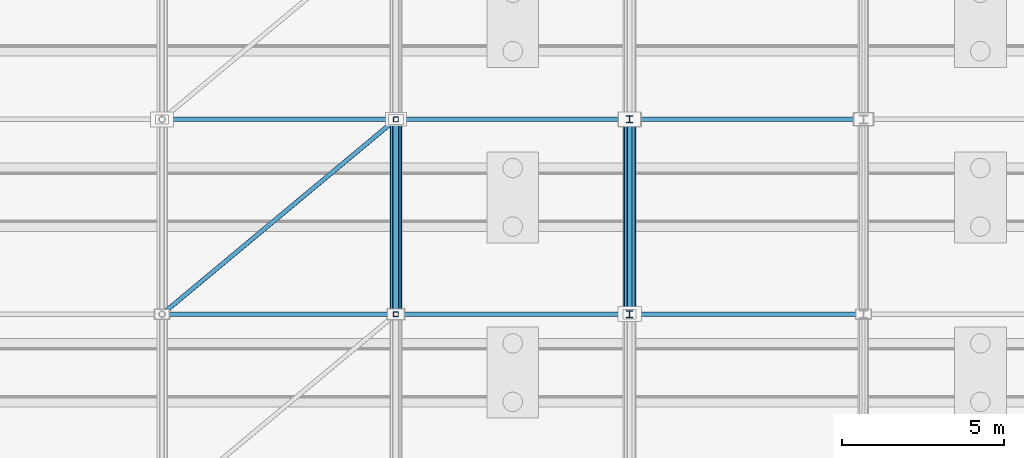
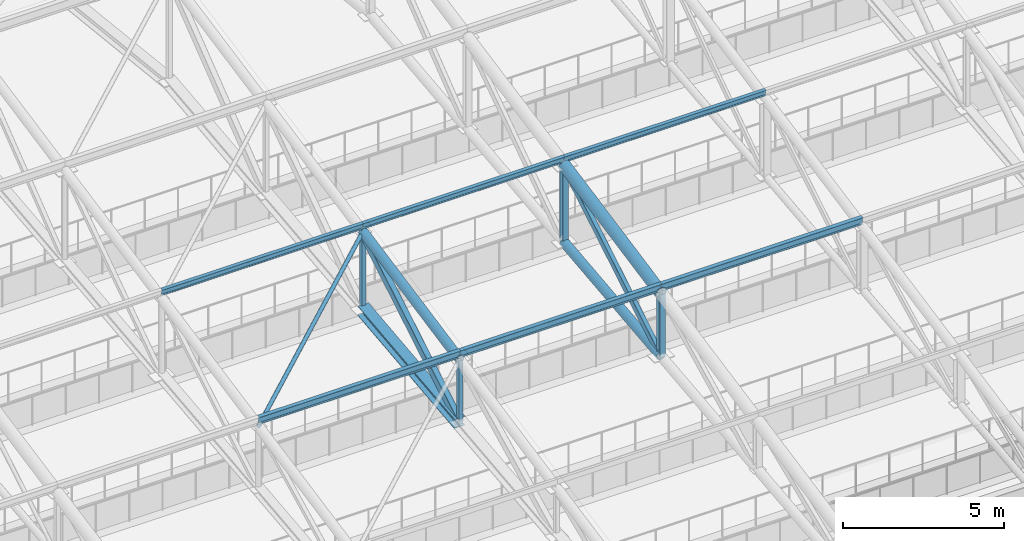
# One storey, part 145 of 293: 17 members.
"""IFC4 building model written with IfcOpenShell, lengths in metres."""

from ifc_helpers import new_model, si_unit, direction, frame, origin, origin_2d, place, context, subcontext, project, spatial, hollow_rectangle, hollow_circle, i_section, extrude, material, material_profile, profile_set, type_object, element, save


model = new_model("IFC4")

# Units and contexts
model_context = context("Model", 3, precision=1e-05, world=origin(), true_north=direction((0.0, 1.0)))
body_context = subcontext(model_context, "Body", "Model", "MODEL_VIEW")
ifc_project = project(units=[si_unit("LENGTHUNIT", "METRE"), si_unit("AREAUNIT", "SQUARE_METRE"), si_unit("VOLUMEUNIT", "CUBIC_METRE"), si_unit("PLANEANGLEUNIT", "RADIAN"), si_unit("MASSUNIT", "GRAM", prefix="KILO")], contexts=[model_context])

# Site, building, storey
site_placement = place(None, origin())
site = spatial("IfcSite", under=ifc_project, at=site_placement, CompositionType="ELEMENT")
building_placement = place(site_placement, origin())
building = spatial("IfcBuilding", under=site, at=building_placement, Name="Kemerveld Promenade Tramway Depot", CompositionType="ELEMENT")
storey_placement = place(building_placement, origin())
storey = spatial("IfcBuildingStorey", under=building, at=storey_placement, Name="L00", CompositionType="ELEMENT", Elevation=0.0)

# Members
ifc_material = material(Name="Steel S355", Category="steel")
ifc_material_profile_1 = material_profile(ifc_material, hollow_rectangle(XDim=0.199951171875, YDim=0.300048828125, WallThickness=0.012451171875, InnerFilletRadius=0.00634765625, OuterFilletRadius=0.018798828125, at=origin_2d()), Name="300x200x12.5 RHS")
ifc_profile_set_1 = profile_set([ifc_material_profile_1], Name="Steel S355")
member_type_1 = type_object("IfcMemberType", Name="MB-M01", PredefinedType="BRACE", material=ifc_profile_set_1)
member_1_placement = place(storey_placement, frame((115.199951171875, 96.0, 11.1201171875), z_axis=(0.0, 0.8587636701, 0.512371895128), x_axis=(-1.0, 0.0, 0.0)))
element("IfcMember", 1, at=member_1_placement, inside=storey, type_object=member_type_1, Name="TR-17-DG-03", PredefinedType="BRACE", context=body_context, shape_type="SweptSolid", body=[
    extrude(hollow_rectangle(XDim=0.199951171875, YDim=0.300048828125, WallThickness=0.012451171875, InnerFilletRadius=0.00634765625, OuterFilletRadius=0.018798828125, at=origin_2d()), origin(), (0.0, 0.0, 1.0), 6.98681640625),
])
ifc_material_profile_2 = material_profile(ifc_material, hollow_rectangle(XDim=0.14990234375, YDim=0.25, WallThickness=0.010009765625, InnerFilletRadius=0.0048828125, OuterFilletRadius=0.014892578125, at=origin_2d()), Name="250x150x10.0 RHS")
ifc_profile_set_2 = profile_set([ifc_material_profile_2], Name="Steel S355")
member_type_2 = type_object("IfcMemberType", Name="MB-M02", PredefinedType="BRACE", material=ifc_profile_set_2)
member_2_placement = place(storey_placement, frame((122.39990234375, 96.0, 11.1201171875), z_axis=(0.0, 0.8587636701, 0.512371895128), x_axis=(-1.0, 0.0, 0.0)))
element("IfcMember", 2, at=member_2_placement, inside=storey, type_object=member_type_2, Name="TR-18-DG-03", PredefinedType="BRACE", context=body_context, shape_type="SweptSolid", body=[
    extrude(hollow_rectangle(XDim=0.14990234375, YDim=0.25, WallThickness=0.010009765625, InnerFilletRadius=0.0048828125, OuterFilletRadius=0.014892578125, at=origin_2d()), origin(), (0.0, 0.0, 1.0), 6.98681640625),
])
ifc_material_profile_3 = material_profile(ifc_material, i_section(OverallWidth=0.37255859375, OverallDepth=0.3681640625, WebThickness=0.014404296875, FlangeThickness=0.023681640625, FilletRadius=0.01513671875, at=origin_2d()), Name="356x368x177 UC")
ifc_profile_set_3 = profile_set([ifc_material_profile_3], Name="Steel S355")
member_type_3 = type_object("IfcMemberType", Name="MB-M08", PredefinedType="CHORD", material=ifc_profile_set_3)
member_3_placement = place(storey_placement, frame((115.199951171875, 96.0, 11.1201171875), z_axis=(0.0, 0.994005938353, 0.109326092585), x_axis=(-1.0, 0.0, 0.0)))
element("IfcMember", 3, at=member_3_placement, inside=storey, type_object=member_type_3, Name="TR-17-BC-03", PredefinedType="CHORD", context=body_context, shape_type="SweptSolid", body=[
    extrude(i_section(OverallWidth=0.37255859375, OverallDepth=0.3681640625, WebThickness=0.014404296875, FlangeThickness=0.023681640625, FilletRadius=0.01513671875, at=origin_2d()), origin(), (0.0, 0.0, 1.0), 6.0361328125),
])
ifc_material_profile_4 = material_profile(ifc_material, i_section(OverallWidth=0.146484375, OverallDepth=0.256103515625, WebThickness=0.00634765625, FlangeThickness=0.010986328125, FilletRadius=0.007568359375, at=origin_2d()), Name="254x146x37 UB")
ifc_profile_set_4 = profile_set([ifc_material_profile_4], Name="Steel S355")
member_type_4 = type_object("IfcMemberType", Name="MB-PR3", PredefinedType="PURLIN", material=ifc_profile_set_4)
for number, where, z_axis, x_axis, name in (
    (4, (108.0, 96.0, 13.7451171875), (1.0, 0.0, 0.0), (0.0, 1.0, 0.0), "PUR-V1-02-16"),
    (5, (115.199951171875, 96.0, 13.7451171875), (1.0, 0.0, 0.0), (0.0, 1.0, 0.0), "PUR-V1-02-17"),
):
    element("IfcMember", number, at=place(storey_placement, frame(where, z_axis=z_axis, x_axis=x_axis)), inside=storey, type_object=member_type_4, Name=name, PredefinedType="PURLIN", context=body_context, shape_type="SweptSolid", body=[
        extrude(i_section(OverallWidth=0.146484375, OverallDepth=0.256103515625, WebThickness=0.00634765625, FlangeThickness=0.010986328125, FilletRadius=0.007568359375, at=origin_2d()), origin(), (0.0, 0.0, 1.0), 7.199951171875),
    ])
member_4_placement = place(storey_placement, frame((122.39990234375, 96.0, 13.7451171875), z_axis=(1.0, 0.0, 0.0), x_axis=(0.0, 1.0, 0.0)))
element("IfcMember", 6, at=member_4_placement, inside=storey, type_object=member_type_4, Name="PUR-V1-02-18", PredefinedType="PURLIN", context=body_context, shape_type="SweptSolid", body=[
    extrude(i_section(OverallWidth=0.146484375, OverallDepth=0.256103515625, WebThickness=0.00634765625, FlangeThickness=0.010986328125, FilletRadius=0.007568359375, at=origin_2d()), origin(), (0.0, 0.0, 1.0), 7.2001953125),
])
ifc_material_profile_5 = material_profile(ifc_material, i_section(OverallWidth=0.13330078125, OverallDepth=0.203125, WebThickness=0.005615234375, FlangeThickness=0.0078125, FilletRadius=0.007568359375, at=origin_2d()), Name="203x133x25 UB")
ifc_profile_set_5 = profile_set([ifc_material_profile_5], Name="Steel S355")
member_type_5 = type_object("IfcMemberType", Name="MB-PR4", PredefinedType="PURLIN", material=ifc_profile_set_5)
for number, where, z_axis, x_axis, name in (
    (7, (108.0, 102.0, 14.945068359375), (1.0, 0.0, 0.0), (0.0, 1.0, 0.0), "PUR-V1-03-16"),
    (8, (115.199951171875, 102.0, 14.945068359375), (1.0, 0.0, 0.0), (0.0, 1.0, 0.0), "PUR-V1-03-17"),
):
    element("IfcMember", number, at=place(storey_placement, frame(where, z_axis=z_axis, x_axis=x_axis)), inside=storey, type_object=member_type_5, Name=name, PredefinedType="PURLIN", context=body_context, shape_type="SweptSolid", body=[
        extrude(i_section(OverallWidth=0.13330078125, OverallDepth=0.203125, WebThickness=0.005615234375, FlangeThickness=0.0078125, FilletRadius=0.007568359375, at=origin_2d()), origin(), (0.0, 0.0, 1.0), 7.199951171875),
    ])
member_5_placement = place(storey_placement, frame((122.39990234375, 102.0, 14.945068359375), z_axis=(1.0, 0.0, 0.0), x_axis=(0.0, 1.0, 0.0)))
element("IfcMember", 9, at=member_5_placement, inside=storey, type_object=member_type_5, Name="PUR-V1-03-18", PredefinedType="PURLIN", context=body_context, shape_type="SweptSolid", body=[
    extrude(i_section(OverallWidth=0.13330078125, OverallDepth=0.203125, WebThickness=0.005615234375, FlangeThickness=0.0078125, FilletRadius=0.007568359375, at=origin_2d()), origin(), (0.0, 0.0, 1.0), 7.2001953125),
])
ifc_material_profile_6 = material_profile(ifc_material, hollow_circle(Radius=0.06982421875, WallThickness=0.00634765625, at=origin_2d()), Name="139.7x6.3 CHS")
ifc_profile_set_6 = profile_set([ifc_material_profile_6], Name="Steel S355")
member_type_6 = type_object("IfcMemberType", Name="MB-TB3", PredefinedType="BRACE", material=ifc_profile_set_6)
member_6_placement = place(storey_placement, frame((108.0, 96.0, 13.5), z_axis=(0.761999094998, 0.635003552225, 0.126995542773), x_axis=(-0.640186961885, 0.768219144407, 0.0)))
element("IfcMember", 10, at=member_6_placement, inside=storey, type_object=member_type_6, Name="RBR-V1-02-16", PredefinedType="BRACE", context=body_context, shape_type="SweptSolid", body=[
    extrude(hollow_circle(Radius=0.06982421875, WallThickness=0.00634765625, at=origin_2d()), origin(), (0.0, 0.0, 1.0), 9.44873046875),
])
ifc_material_profile_7 = material_profile(ifc_material, hollow_circle(Radius=0.203125, WallThickness=0.01611328125, at=origin_2d()), Name="406.4x16.0 CHS")
ifc_profile_set_7 = profile_set([ifc_material_profile_7], Name="Steel S355")
member_type_7 = type_object("IfcMemberType", Name="MB-TC1", PredefinedType="CHORD", material=ifc_profile_set_7)
member_7_placement = place(storey_placement, frame((122.39990234375, 96.0, 13.5), z_axis=(0.0, 0.980582210276, 0.196108462057), x_axis=(-1.0, 0.0, 0.0)))
element("IfcMember", 11, at=member_7_placement, inside=storey, type_object=member_type_7, Name="TR-18-TC-03", PredefinedType="CHORD", context=body_context, shape_type="SweptSolid", body=[
    extrude(hollow_circle(Radius=0.203125, WallThickness=0.01611328125, at=origin_2d()), origin(), (0.0, 0.0, 1.0), 6.118896484375),
])
ifc_material_profile_8 = material_profile(ifc_material, hollow_circle(Radius=0.161865234375, WallThickness=0.012451171875, at=origin_2d()), Name="323.9x12.5 CHS")
ifc_profile_set_8 = profile_set([ifc_material_profile_8], Name="Steel S355")
member_type_8 = type_object("IfcMemberType", Name="MB-TC2", PredefinedType="CHORD", material=ifc_profile_set_8)
member_8_placement = place(storey_placement, frame((115.199951171875, 96.0, 13.5), z_axis=(0.0, 0.980582210276, 0.196108462057), x_axis=(-1.0, 0.0, 0.0)))
element("IfcMember", 12, at=member_8_placement, inside=storey, type_object=member_type_8, Name="TR-17-TC-03", PredefinedType="CHORD", context=body_context, shape_type="SweptSolid", body=[
    extrude(hollow_circle(Radius=0.161865234375, WallThickness=0.012451171875, at=origin_2d()), origin(), (0.0, 0.0, 1.0), 6.118896484375),
])
member_9_placement = place(storey_placement, frame((122.39990234375, 96.0, 11.1201171875), z_axis=(0.0, 0.994005938353, 0.109326092585), x_axis=(-1.0, 0.0, 0.0)))
element("IfcMember", 13, at=member_9_placement, inside=storey, type_object=member_type_8, Name="TR-18-BC-03", PredefinedType="CHORD", context=body_context, shape_type="SweptSolid", body=[
    extrude(hollow_circle(Radius=0.161865234375, WallThickness=0.012451171875, at=origin_2d()), origin(), (0.0, 0.0, 1.0), 6.0361328125),
])
ifc_material_profile_9 = material_profile(ifc_material, hollow_rectangle(XDim=0.14990234375, YDim=0.14990234375, WallThickness=0.008056640625, InnerFilletRadius=0.00390625, OuterFilletRadius=0.011962890625, at=origin_2d()), Name="150x150x8.0 SHS")
ifc_profile_set_9 = profile_set([ifc_material_profile_9], Name="Steel S355")
member_type_9 = type_object("IfcMemberType", Name="MB-TP2", PredefinedType="POST", material=ifc_profile_set_9)
member_10_placement = place(storey_placement, frame((115.199951171875, 96.0, 11.1201171875), z_axis=(0.0, 0.0, 1.0), x_axis=(1.0, 0.0, 0.0)))
element("IfcMember", 14, at=member_10_placement, inside=storey, type_object=member_type_9, Name="TR-17-VT-02", PredefinedType="POST", context=body_context, shape_type="SweptSolid", body=[
    extrude(hollow_rectangle(XDim=0.14990234375, YDim=0.14990234375, WallThickness=0.008056640625, InnerFilletRadius=0.00390625, OuterFilletRadius=0.011962890625, at=origin_2d()), origin(), (0.0, 0.0, 1.0), 2.3798828125),
])
member_11_placement = place(storey_placement, frame((115.199951171875, 102.0, 11.780029296875), z_axis=(0.0, 0.0, 1.0), x_axis=(1.0, 0.0, 0.0)))
element("IfcMember", 15, at=member_11_placement, inside=storey, type_object=member_type_9, Name="TR-17-VT-03", PredefinedType="POST", context=body_context, shape_type="SweptSolid", body=[
    extrude(hollow_rectangle(XDim=0.14990234375, YDim=0.14990234375, WallThickness=0.008056640625, InnerFilletRadius=0.00390625, OuterFilletRadius=0.011962890625, at=origin_2d()), origin(), (0.0, 0.0, 1.0), 2.919921875),
])
ifc_material_profile_10 = material_profile(ifc_material, i_section(OverallWidth=0.205810546875, OverallDepth=0.209716796875, WebThickness=0.009521484375, FlangeThickness=0.01416015625, FilletRadius=0.01025390625, at=origin_2d()), Name="203x203x60 UC")
ifc_profile_set_10 = profile_set([ifc_material_profile_10], Name="Steel S355")
member_type_10 = type_object("IfcMemberType", Name="MB-TP3", PredefinedType="POST", material=ifc_profile_set_10)
member_12_placement = place(storey_placement, frame((122.39990234375, 96.0, 11.1201171875), z_axis=(0.0, 0.0, 1.0), x_axis=(1.0, 0.0, 0.0)))
element("IfcMember", 16, at=member_12_placement, inside=storey, type_object=member_type_10, Name="TR-18-VT-02", PredefinedType="POST", context=body_context, shape_type="SweptSolid", body=[
    extrude(i_section(OverallWidth=0.205810546875, OverallDepth=0.209716796875, WebThickness=0.009521484375, FlangeThickness=0.01416015625, FilletRadius=0.01025390625, at=origin_2d()), origin(), (0.0, 0.0, 1.0), 2.3798828125),
])
member_13_placement = place(storey_placement, frame((122.39990234375, 102.0, 11.780029296875), z_axis=(0.0, 0.0, 1.0), x_axis=(1.0, 0.0, 0.0)))
element("IfcMember", 17, at=member_13_placement, inside=storey, type_object=member_type_10, Name="TR-18-VT-03", PredefinedType="POST", context=body_context, shape_type="SweptSolid", body=[
    extrude(i_section(OverallWidth=0.205810546875, OverallDepth=0.209716796875, WebThickness=0.009521484375, FlangeThickness=0.01416015625, FilletRadius=0.01025390625, at=origin_2d()), origin(), (0.0, 0.0, 1.0), 2.919921875),
])

save(model, "model.ifc")
